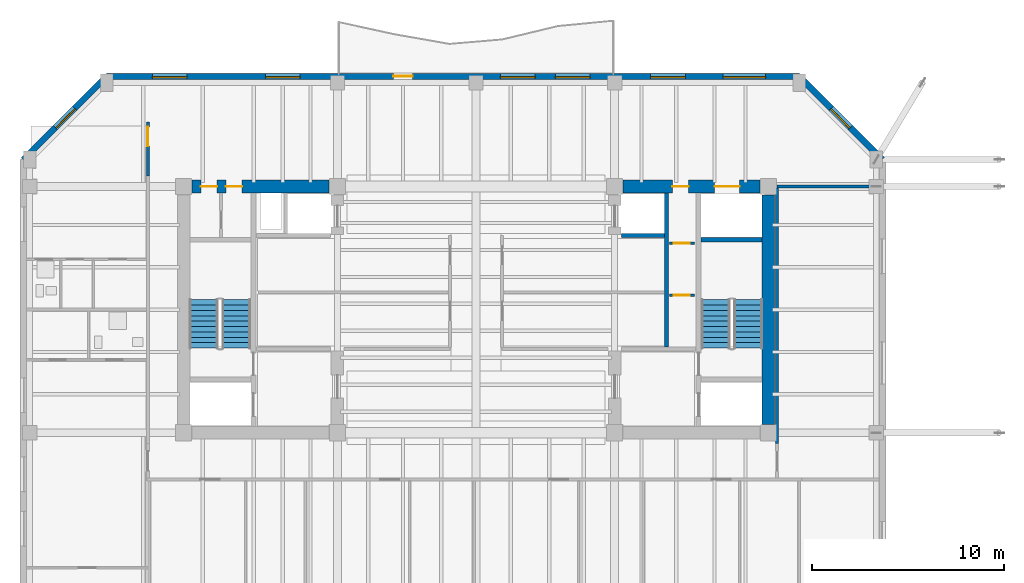
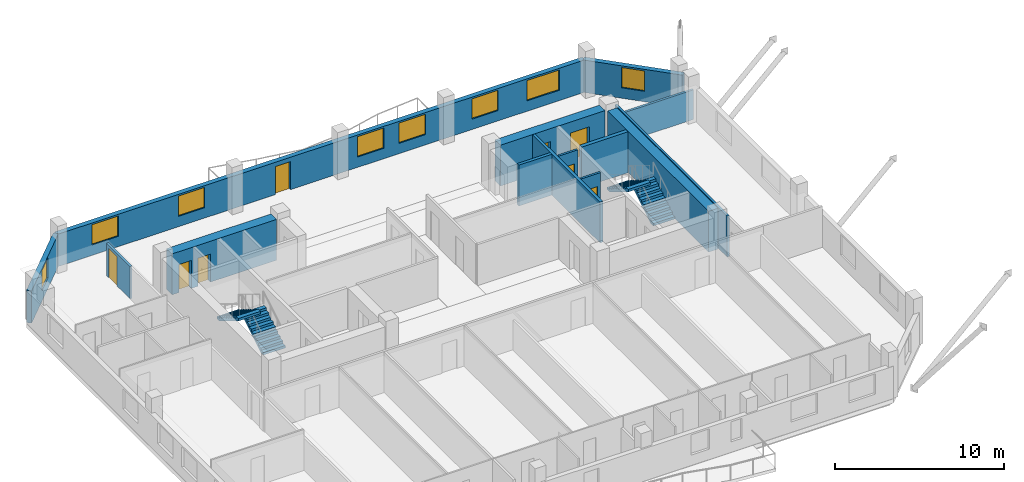
# One storey, part 7 of 12: 14 walls, 8 doors, 8 windows, 4 stair flights, 16 openings, 2 elements without a shape of their own.
"""IFC4 building model written with IfcOpenShell, lengths in metres."""

import ifcopenshell
import ifcopenshell.guid

model = None  # the IFC model being written
_history = None  # IfcOwnerHistory: only IFC2X3 demands one
_inside = {}  # id of a spatial element -> (the spatial element, [elements in it])
_under = {}  # id of a project, library or spatial element -> (it, [spatial elements below it])
_declared = {}  # id of a project -> (the project, [libraries it declares])
_typed = {}  # id of a type object -> (the type object, [elements of that type])
_made_of = {}  # id of a material, layer set ... -> (it, [elements and type objects made of it])


def new_model(schema):
    """Start an empty IFC model of exactly this schema.

    Asked for "IFC4X3", IfcOpenShell would pick the latest addendum, in which some entities
    have other attributes; the version numbers below select the first issue.
    IFC2X3 requires an IfcOwnerHistory on every rooted entity: one is made here for all.
    """
    global model, _history
    if schema == "IFC4X3":
        model = ifcopenshell.file(schema_version=(4, 3, 0, 0))
    else:
        model = ifcopenshell.file(schema=schema)
    _inside.clear()
    _under.clear()
    _declared.clear()
    _typed.clear()
    _made_of.clear()
    _history = None
    if model.schema == "IFC2X3":
        org = make("IfcOrganization", Name="unknown")
        user = make(
            "IfcPersonAndOrganization",
            ThePerson=make("IfcPerson", FamilyName="unknown"),
            TheOrganization=org,
        )
        app = make(
            "IfcApplication",
            ApplicationDeveloper=org,
            Version="unknown",
            ApplicationFullName="unknown",
            ApplicationIdentifier="unknown",
        )
        _history = make(
            "IfcOwnerHistory",
            OwningUser=user,
            OwningApplication=app,
            ChangeAction="ADDED",
            CreationDate=0,
        )
    return model


def make(cls, **values):
    """One entity of the class cls with the attributes given. An attribute that is None is left unset."""
    return model.create_entity(
        cls, **{name: value for name, value in values.items() if value is not None}
    )


def rooted(cls, **values):
    """An entity with a GlobalId (a new one), such as an element, a storey or a relation."""
    return make(cls, GlobalId=ifcopenshell.guid.new(), OwnerHistory=_history, **values)


def si_unit(unit_type, name, prefix=None):
    """IfcSIUnit, for example si_unit("LENGTHUNIT", "METRE", prefix="MILLI")."""
    return make("IfcSIUnit", UnitType=unit_type, Prefix=prefix, Name=name)


def assignment(units):
    """IfcUnitAssignment: the units of a project."""
    return None if units is None else make("IfcUnitAssignment", Units=units)


def point(xyz):
    """IfcCartesianPoint."""
    return None if xyz is None else make("IfcCartesianPoint", Coordinates=xyz)


def direction(xyz):
    """IfcDirection."""
    return None if xyz is None else make("IfcDirection", DirectionRatios=xyz)


def frame(location, z_axis=None, x_axis=None):
    """IfcAxis2Placement3D, a coordinate frame: its origin and axes. An axis left out is left unset."""
    return make(
        "IfcAxis2Placement3D",
        Location=point(location),
        Axis=direction(z_axis),
        RefDirection=direction(x_axis),
    )


def frame_2d(location, x_axis=None):
    """IfcAxis2Placement2D, a coordinate frame in the plane: its origin and x axis."""
    return make(
        "IfcAxis2Placement2D", Location=point(location), RefDirection=direction(x_axis)
    )


def origin():
    """The frame at (0, 0, 0) with its axes left unset."""
    return frame((0.0, 0.0, 0.0))


def place(relative_to, where):
    """IfcLocalPlacement: puts the frame where relative to a parent placement (None: the world)."""
    return make(
        "IfcLocalPlacement", PlacementRelTo=relative_to, RelativePlacement=where
    )


def context(
    kind, dimensions, precision=None, world=None, true_north=None, identifier=None
):
    """IfcGeometricRepresentationContext, for example the 3D "Model" context."""
    return make(
        "IfcGeometricRepresentationContext",
        ContextIdentifier=identifier,
        ContextType=kind,
        CoordinateSpaceDimension=dimensions,
        Precision=precision,
        WorldCoordinateSystem=world,
        TrueNorth=true_north,
    )


def subcontext(parent, identifier, kind, view, scale=None):
    """IfcGeometricRepresentationSubContext, for example "Body" below "Model"."""
    return make(
        "IfcGeometricRepresentationSubContext",
        ContextIdentifier=identifier,
        ContextType=kind,
        ParentContext=parent,
        TargetScale=scale,
        TargetView=view,
    )


def project(units=None, contexts=None):
    """IfcProject with its units and contexts."""
    return rooted(
        "IfcProject",
        Name="project",
        RepresentationContexts=contexts,
        UnitsInContext=assignment(units),
    )


def spatial(cls, under=None, at=None, **own):
    """A site, building, storey or space (cls), placed at a placement, below another one or the project."""
    s = rooted(cls, ObjectPlacement=at, **own)
    if under is not None:
        _under.setdefault(under.id(), (under, []))[1].append(s)
    return s


def polyline(points):
    """IfcPolyline through the points."""
    return make("IfcPolyline", Points=[point(p) for p in points])


def profile(cls, at=None, kind="AREA", **sizes):
    """A parametric profile (cls). Its sizes go by their IFC names, for example OverallWidth=200.0."""
    return make(cls, ProfileType=kind, Position=at, **sizes)


def rectangle(**sizes):
    """IfcRectangleProfileDef."""
    return profile("IfcRectangleProfileDef", **sizes)


def outline(outer, holes=None, kind="AREA"):
    """IfcArbitraryClosedProfileDef: a profile drawn as a closed curve; with holes, ...WithVoids."""
    if holes is None:
        return make("IfcArbitraryClosedProfileDef", ProfileType=kind, OuterCurve=outer)
    return make(
        "IfcArbitraryProfileDefWithVoids",
        ProfileType=kind,
        OuterCurve=outer,
        InnerCurves=holes,
    )


def extrude(swept, where, along, depth):
    """IfcExtrudedAreaSolid: the profile swept, set in the frame where, extruded along a direction by depth."""
    return make(
        "IfcExtrudedAreaSolid",
        SweptArea=swept,
        Position=where,
        ExtrudedDirection=direction(along),
        Depth=depth,
    )


def shape(context_of_items, identifier, shape_type, items):
    """IfcShapeRepresentation: the items that make up one representation, for example the "Body"."""
    return make(
        "IfcShapeRepresentation",
        ContextOfItems=context_of_items,
        RepresentationIdentifier=identifier,
        RepresentationType=shape_type,
        Items=items,
    )


def material(Name=None, Category=None):
    """IfcMaterial."""
    return make("IfcMaterial", Name=Name, Category=Category)


def layer(
    of_material, thickness, ventilated=None, Name=None, Category=None, Priority=None
):
    """IfcMaterialLayer: one layer of a wall or slab, of a material (None: an air gap)."""
    return make(
        "IfcMaterialLayer",
        Material=of_material,
        LayerThickness=thickness,
        IsVentilated=ventilated,
        Name=Name,
        Category=Category,
        Priority=Priority,
    )


def layer_set(layers, Name=None):
    """IfcMaterialLayerSet."""
    return make("IfcMaterialLayerSet", MaterialLayers=layers, LayerSetName=Name)


def made_of(thing, what):
    """Note that an element or type object is made of a material, layer set ...; save() writes the relation."""
    if what is not None:
        _made_of.setdefault(what.id(), (what, []))[1].append(thing)
    return thing


def type_object(cls, material=None, **own):
    """A type object (cls), such as IfcWallType, which elements share."""
    return made_of(rooted(cls, **own), material)


def element(
    cls,
    number,
    at=None,
    inside=None,
    cuts=None,
    type_object=None,
    material=None,
    context=None,
    identifier="Body",
    shape_type=None,
    held_by="IfcProductDefinitionShape",
    body=None,
    shapes=None,
    **own,
):
    """One element of the class cls, such as IfcWall. Its Tag is "e" and its number.

    at: its placement. inside: the storey or other place that contains it. cuts: it is an
    opening in that element (IfcRelVoidsElement). A single representation is given by context,
    identifier, shape_type and body (its items); several are given by shapes. held_by: the class
    of the entity that holds the representations. save() writes the other relations.
    """
    e = rooted(cls, Tag="e%d" % number, ObjectPlacement=at, **own)
    if body is not None:
        shapes = [shape(context, identifier, shape_type, body)]
    if shapes is not None:
        e.Representation = make(held_by, Representations=shapes)
    if inside is not None:
        _inside.setdefault(inside.id(), (inside, []))[1].append(e)
    if cuts is not None:
        rooted(
            "IfcRelVoidsElement", RelatingBuildingElement=cuts, RelatedOpeningElement=e
        )
    if type_object is not None:
        _typed.setdefault(type_object.id(), (type_object, []))[1].append(e)
    return made_of(e, material)


def fill(opening, filler):
    """IfcRelFillsElement: the door or window that sits in an opening."""
    return rooted(
        "IfcRelFillsElement",
        RelatingOpeningElement=opening,
        RelatedBuildingElement=filler,
    )


def aggregate(whole, parts):
    """IfcRelAggregates: a whole, such as a stair, and the parts it consists of."""
    return rooted("IfcRelAggregates", RelatingObject=whole, RelatedObjects=parts)


def save(model, path):
    """Write the relations noted so far, then the file.

    IfcRelAggregates (storeys below a building ...), IfcRelContainedInSpatialStructure (elements
    in a storey), IfcRelDefinesByType, IfcRelAssociatesMaterial and IfcRelDeclares: one each for
    every whole, place, type object, material and project.
    """
    for whole, parts in _under.values():
        aggregate(whole, parts)
    for where, things in _inside.values():
        rooted(
            "IfcRelContainedInSpatialStructure",
            RelatedElements=things,
            RelatingStructure=where,
        )
    for kind, things in _typed.values():
        rooted("IfcRelDefinesByType", RelatedObjects=things, RelatingType=kind)
    for what, things in _made_of.values():
        rooted("IfcRelAssociatesMaterial", RelatedObjects=things, RelatingMaterial=what)
    for by, libraries in _declared.values():
        rooted("IfcRelDeclares", RelatingContext=by, RelatedDefinitions=libraries)
    model.write(path)


model = new_model("IFC4")

# Units and contexts
model_context = context("Model", 3, precision=1e-05, world=origin(), true_north=direction((0.0, 1.0)))
body_context = subcontext(model_context, "Body", "Model", "MODEL_VIEW")
ifc_project = project(units=[si_unit("LENGTHUNIT", "METRE"), si_unit("AREAUNIT", "SQUARE_METRE"), si_unit("VOLUMEUNIT", "CUBIC_METRE"), si_unit("PLANEANGLEUNIT", "RADIAN"), si_unit("MASSUNIT", "GRAM", prefix="KILO")], contexts=[model_context])

# Site, building, storey
site_placement = place(None, origin())
site = spatial("IfcSite", under=ifc_project, at=site_placement, CompositionType="ELEMENT")
building_placement = place(site_placement, origin())
building = spatial("IfcBuilding", under=site, at=building_placement, Name="Kranthara Brick Stack", CompositionType="ELEMENT")
storey_placement = place(building_placement, frame((0.0, 0.0, 224.5)))
storey = spatial("IfcBuildingStorey", under=building, at=storey_placement, Name="L58", CompositionType="ELEMENT", Elevation=224.5)

# Wall, opening, window
ifc_material_1 = material(Name="Warm buff clay brick masonry M15", Category="masonry")
ifc_layer_1 = layer(ifc_material_1, 0.320068359375)
ifc_layer_set_1 = layer_set([ifc_layer_1], Name="Warm buff clay brick masonry M15")
wall_type_1 = type_object("IfcWallType", Name="WL-BRK-UPPR-320", PredefinedType="STANDARD", material=ifc_layer_set_1)
wall_1_placement = place(storey_placement, frame((4.47998046875, 35.0, 0.0), z_axis=(0.0, 0.0, 1.0), x_axis=(0.707106781187, 0.707106781187, 0.0)))
wall_1 = element("IfcWall", 1, at=wall_1_placement, inside=storey, type_object=wall_type_1, Name="L58 Exterior Brick Facade Wall NW 1", PredefinedType="STANDARD", context=body_context, shape_type="SweptSolid", body=[
    extrude(rectangle(XDim=6.109619140625, YDim=0.320068359375, at=frame_2d((3.0546875, 0.0))), origin(), (0.0, 0.0, 1.0), 2.3349609375),
])
opening_1_placement = place(wall_1_placement, frame((2.35498046875, 0.0, 0.75)))
opening_1 = element("IfcOpeningElement", 2, at=opening_1_placement, cuts=wall_1, Name="Opening WN10", PredefinedType="OPENING", context=body_context, shape_type="SweptSolid", body=[
    extrude(rectangle(XDim=1.39990234375, YDim=1.465087890625, at=frame_2d((0.699951171875, 0.732421875))), frame((0.0, 0.169921875, 0.0), z_axis=(0.0, -1.0, 0.0), x_axis=(1.0, 0.0, 0.0)), (0.0, 0.0, 1.0), 0.340087890625),
])
ifc_material_2 = material(Name="Double-glazed low-E solar control glass", Category="glass")
window_type_1 = type_object("IfcWindowType", Name="WN-CHM-1400x1750", PartitioningType="SINGLE_PANEL", PredefinedType="WINDOW", material=ifc_material_2)
window_1_placement = place(opening_1_placement, origin())
window_1 = element("IfcWindow", 3, at=window_1_placement, inside=storey, type_object=window_type_1, Name="L58 NW Chamfer Corner Window", OverallHeight=1.465087890625, OverallWidth=1.39990234375, PartitioningType="SINGLE_PANEL", PredefinedType="WINDOW", context=body_context, shape_type="SweptSolid", body=[
    extrude(rectangle(XDim=1.39990234375, YDim=1.465087890625, at=frame_2d((0.699951171875, 0.732421875))), frame((0.0, -0.010009765625, 0.0), z_axis=(0.0, -1.0, 0.0), x_axis=(1.0, 0.0, 0.0)), (0.0, 0.0, 1.0), 0.06005859375),
])
fill(opening_1, window_1)

# Wall, openings, door, windows
wall_2_placement = place(storey_placement, frame((8.800048828125, 39.320068359375, 0.0), z_axis=(0.0, 0.0, 1.0), x_axis=(1.0, 0.0, 0.0)))
wall_2 = element("IfcWall", 4, at=wall_2_placement, inside=storey, type_object=wall_type_1, Name="L58 Exterior Brick Facade Wall NORTH 1", PredefinedType="STANDARD", context=body_context, shape_type="SweptSolid", body=[
    extrude(rectangle(XDim=36.0, YDim=0.320068359375, at=frame_2d((18.0, 0.0))), origin(), (0.0, 0.0, 1.0), 2.3349609375),
])
opening_2_placement = place(wall_2_placement, frame((14.89990234375, 0.0, 0.0)))
opening_2 = element("IfcOpeningElement", 5, at=opening_2_placement, cuts=wall_2, Name="Opening D03", PredefinedType="OPENING", context=body_context, shape_type="SweptSolid", body=[
    extrude(rectangle(XDim=1.0, YDim=2.02001953125, at=frame_2d((0.5, 1.010009765625))), frame((0.0, 0.169921875, 0.0), z_axis=(0.0, -1.0, 0.0), x_axis=(1.0, 0.0, 0.0)), (0.0, 0.0, 1.0), 0.340087890625),
])
opening_3_placement = place(wall_2_placement, frame((2.375, 0.0, 0.75)))
opening_3 = element("IfcOpeningElement", 6, at=opening_3_placement, cuts=wall_2, Name="Opening WN07", PredefinedType="OPENING", context=body_context, shape_type="SweptSolid", body=[
    extrude(rectangle(XDim=1.800048828125, YDim=1.465087890625, at=frame_2d((0.89990234375, 0.732421875))), frame((0.0, 0.169921875, 0.0), z_axis=(0.0, -1.0, 0.0), x_axis=(1.0, 0.0, 0.0)), (0.0, 0.0, 1.0), 0.340087890625),
])
opening_4_placement = place(wall_2_placement, frame((8.261962890625, 0.0, 0.75)))
opening_4 = element("IfcOpeningElement", 7, at=opening_4_placement, cuts=wall_2, Name="Opening WN07", PredefinedType="OPENING", context=body_context, shape_type="SweptSolid", body=[
    extrude(rectangle(XDim=1.800048828125, YDim=1.465087890625, at=frame_2d((0.89990234375, 0.732421875))), frame((0.0, 0.169921875, 0.0), z_axis=(0.0, -1.0, 0.0), x_axis=(1.0, 0.0, 0.0)), (0.0, 0.0, 1.0), 0.340087890625),
])
opening_5_placement = place(wall_2_placement, frame((20.471923828125, 0.0, 0.75)))
opening_5 = element("IfcOpeningElement", 8, at=opening_5_placement, cuts=wall_2, Name="Opening WN07", PredefinedType="OPENING", context=body_context, shape_type="SweptSolid", body=[
    extrude(rectangle(XDim=1.800048828125, YDim=1.465087890625, at=frame_2d((0.89990234375, 0.732421875))), frame((0.0, 0.169921875, 0.0), z_axis=(0.0, -1.0, 0.0), x_axis=(1.0, 0.0, 0.0)), (0.0, 0.0, 1.0), 0.340087890625),
])
opening_6_placement = place(wall_2_placement, frame((23.327880859375, 0.0, 0.75)))
opening_6 = element("IfcOpeningElement", 9, at=opening_6_placement, cuts=wall_2, Name="Opening WN07", PredefinedType="OPENING", context=body_context, shape_type="SweptSolid", body=[
    extrude(rectangle(XDim=1.800048828125, YDim=1.465087890625, at=frame_2d((0.89990234375, 0.732421875))), frame((0.0, 0.169921875, 0.0), z_axis=(0.0, -1.0, 0.0), x_axis=(1.0, 0.0, 0.0)), (0.0, 0.0, 1.0), 0.340087890625),
])
opening_7_placement = place(wall_2_placement, frame((28.277099609375, 0.0, 0.75)))
opening_7 = element("IfcOpeningElement", 10, at=opening_7_placement, cuts=wall_2, Name="Opening WN07", PredefinedType="OPENING", context=body_context, shape_type="SweptSolid", body=[
    extrude(rectangle(XDim=1.800048828125, YDim=1.465087890625, at=frame_2d((0.89990234375, 0.732421875))), frame((0.0, 0.169921875, 0.0), z_axis=(0.0, -1.0, 0.0), x_axis=(1.0, 0.0, 0.0)), (0.0, 0.0, 1.0), 0.340087890625),
])
opening_8_placement = place(wall_2_placement, frame((32.048095703125, 0.0, 0.75)))
opening_8 = element("IfcOpeningElement", 11, at=opening_8_placement, cuts=wall_2, Name="Opening WN08", PredefinedType="OPENING", context=body_context, shape_type="SweptSolid", body=[
    extrude(rectangle(XDim=2.199951171875, YDim=1.465087890625, at=frame_2d((1.10009765625, 0.732421875))), frame((0.0, 0.169921875, 0.0), z_axis=(0.0, -1.0, 0.0), x_axis=(1.0, 0.0, 0.0)), (0.0, 0.0, 1.0), 0.340087890625),
])
ifc_material_3 = material(Name="Bronze anodised aluminium and laminated glass", Category="aluminium")
door_type_1 = type_object("IfcDoorType", Name="DR-BALC-1000", OperationType="NOTDEFINED", PredefinedType="DOOR", material=ifc_material_3)
door_1_placement = place(opening_2_placement, origin())
door_1 = element("IfcDoor", 12, at=door_1_placement, inside=storey, type_object=door_type_1, Name="L58 North Balcony Terrace Door", OperationType="SINGLE_SWING_RIGHT", OverallHeight=2.02001953125, OverallWidth=1.0, PredefinedType="DOOR", context=body_context, shape_type="SweptSolid", body=[
    extrude(rectangle(XDim=1.0, YDim=2.02001953125, at=frame_2d((0.5, 1.010009765625))), frame((0.0, 0.02490234375, 0.0), z_axis=(0.0, -1.0, 0.0), x_axis=(1.0, 0.0, 0.0)), (0.0, 0.0, 1.0), 0.050048828125),
])
fill(opening_2, door_1)
ifc_material_4 = material(Name="Double-glazed low-E solar control glass", Category="glass")
window_type_2 = type_object("IfcWindowType", Name="WN-RES-1800x1850", PartitioningType="DOUBLE_PANEL_VERTICAL", PredefinedType="WINDOW", material=ifc_material_4)
window_2_placement = place(opening_3_placement, origin())
window_2 = element("IfcWindow", 13, at=window_2_placement, inside=storey, type_object=window_type_2, Name="L58 North Deep-Set Brick Window 01", OverallHeight=1.465087890625, OverallWidth=1.800048828125, PartitioningType="SINGLE_PANEL", PredefinedType="WINDOW", context=body_context, shape_type="SweptSolid", body=[
    extrude(rectangle(XDim=1.800048828125, YDim=1.465087890625, at=frame_2d((0.89990234375, 0.732421875))), frame((0.0, -0.010009765625, 0.0), z_axis=(0.0, -1.0, 0.0), x_axis=(1.0, 0.0, 0.0)), (0.0, 0.0, 1.0), 0.06005859375),
])
fill(opening_3, window_2)
window_3_placement = place(opening_4_placement, origin())
window_3 = element("IfcWindow", 14, at=window_3_placement, inside=storey, type_object=window_type_2, Name="L58 North Deep-Set Brick Window 02", OverallHeight=1.465087890625, OverallWidth=1.800048828125, PartitioningType="SINGLE_PANEL", PredefinedType="WINDOW", context=body_context, shape_type="SweptSolid", body=[
    extrude(rectangle(XDim=1.800048828125, YDim=1.465087890625, at=frame_2d((0.89990234375, 0.732421875))), frame((0.0, -0.010009765625, 0.0), z_axis=(0.0, -1.0, 0.0), x_axis=(1.0, 0.0, 0.0)), (0.0, 0.0, 1.0), 0.06005859375),
])
fill(opening_4, window_3)
window_4_placement = place(opening_5_placement, origin())
window_4 = element("IfcWindow", 15, at=window_4_placement, inside=storey, type_object=window_type_2, Name="L58 North Deep-Set Brick Window 03", OverallHeight=1.465087890625, OverallWidth=1.800048828125, PartitioningType="SINGLE_PANEL", PredefinedType="WINDOW", context=body_context, shape_type="SweptSolid", body=[
    extrude(rectangle(XDim=1.800048828125, YDim=1.465087890625, at=frame_2d((0.89990234375, 0.732421875))), frame((0.0, -0.010009765625, 0.0), z_axis=(0.0, -1.0, 0.0), x_axis=(1.0, 0.0, 0.0)), (0.0, 0.0, 1.0), 0.06005859375),
])
fill(opening_5, window_4)
window_5_placement = place(opening_6_placement, origin())
window_5 = element("IfcWindow", 16, at=window_5_placement, inside=storey, type_object=window_type_2, Name="L58 North Deep-Set Brick Window 04", OverallHeight=1.465087890625, OverallWidth=1.800048828125, PartitioningType="SINGLE_PANEL", PredefinedType="WINDOW", context=body_context, shape_type="SweptSolid", body=[
    extrude(rectangle(XDim=1.800048828125, YDim=1.465087890625, at=frame_2d((0.89990234375, 0.732421875))), frame((0.0, -0.010009765625, 0.0), z_axis=(0.0, -1.0, 0.0), x_axis=(1.0, 0.0, 0.0)), (0.0, 0.0, 1.0), 0.06005859375),
])
fill(opening_6, window_5)
window_6_placement = place(opening_7_placement, origin())
window_6 = element("IfcWindow", 17, at=window_6_placement, inside=storey, type_object=window_type_2, Name="L58 North Deep-Set Brick Window 05", OverallHeight=1.465087890625, OverallWidth=1.800048828125, PartitioningType="SINGLE_PANEL", PredefinedType="WINDOW", context=body_context, shape_type="SweptSolid", body=[
    extrude(rectangle(XDim=1.800048828125, YDim=1.465087890625, at=frame_2d((0.89990234375, 0.732421875))), frame((0.0, -0.010009765625, 0.0), z_axis=(0.0, -1.0, 0.0), x_axis=(1.0, 0.0, 0.0)), (0.0, 0.0, 1.0), 0.06005859375),
])
fill(opening_7, window_6)
ifc_material_5 = material(Name="Double-glazed low-E solar control glass", Category="glass")
window_type_3 = type_object("IfcWindowType", Name="WN-RES-2200x1850", PartitioningType="TRIPLE_PANEL_VERTICAL", PredefinedType="WINDOW", material=ifc_material_5)
window_7_placement = place(opening_8_placement, origin())
window_7 = element("IfcWindow", 18, at=window_7_placement, inside=storey, type_object=window_type_3, Name="L58 North Deep-Set Brick Window 06", OverallHeight=1.465087890625, OverallWidth=2.199951171875, PartitioningType="SINGLE_PANEL", PredefinedType="WINDOW", context=body_context, shape_type="SweptSolid", body=[
    extrude(rectangle(XDim=2.199951171875, YDim=1.465087890625, at=frame_2d((1.10009765625, 0.732421875))), frame((0.0, -0.010009765625, 0.0), z_axis=(0.0, -1.0, 0.0), x_axis=(1.0, 0.0, 0.0)), (0.0, 0.0, 1.0), 0.06005859375),
])
fill(opening_8, window_7)

# Wall, opening, window
wall_3_placement = place(storey_placement, frame((44.800048828125, 39.320068359375, 0.0), z_axis=(0.0, 0.0, 1.0), x_axis=(0.707106781187, -0.707106781187, 0.0)))
wall_3 = element("IfcWall", 19, at=wall_3_placement, inside=storey, type_object=wall_type_1, Name="L58 Exterior Brick Facade Wall NE 1", PredefinedType="STANDARD", context=body_context, shape_type="SweptSolid", body=[
    extrude(rectangle(XDim=6.109619140625, YDim=0.320068359375, at=frame_2d((3.0546875, 0.0))), origin(), (0.0, 0.0, 1.0), 2.3349609375),
])
opening_9_placement = place(wall_3_placement, frame((2.35498046875, 0.0, 0.75)))
opening_9 = element("IfcOpeningElement", 20, at=opening_9_placement, cuts=wall_3, Name="Opening WN10", PredefinedType="OPENING", context=body_context, shape_type="SweptSolid", body=[
    extrude(rectangle(XDim=1.39990234375, YDim=1.465087890625, at=frame_2d((0.699951171875, 0.732421875))), frame((0.0, 0.169921875, 0.0), z_axis=(0.0, -1.0, 0.0), x_axis=(1.0, 0.0, 0.0)), (0.0, 0.0, 1.0), 0.340087890625),
])
window_8_placement = place(opening_9_placement, origin())
window_8 = element("IfcWindow", 21, at=window_8_placement, inside=storey, type_object=window_type_1, Name="L58 NE Chamfer Corner Window", OverallHeight=1.465087890625, OverallWidth=1.39990234375, PartitioningType="SINGLE_PANEL", PredefinedType="WINDOW", context=body_context, shape_type="SweptSolid", body=[
    extrude(rectangle(XDim=1.39990234375, YDim=1.465087890625, at=frame_2d((0.699951171875, 0.732421875))), frame((0.0, -0.010009765625, 0.0), z_axis=(0.0, -1.0, 0.0), x_axis=(1.0, 0.0, 0.0)), (0.0, 0.0, 1.0), 0.06005859375),
])
fill(opening_9, window_8)

# Wall
ifc_material_6 = material(Name="Concrete C50/60", Category="concrete")
ifc_layer_2 = layer(ifc_material_6, 0.25)
ifc_layer_set_2 = layer_set([ifc_layer_2], Name="Concrete C50/60")
wall_type_2 = type_object("IfcWallType", Name="WL-CORE-250", PredefinedType="SHEAR", material=ifc_layer_set_2)
wall_4_placement = place(storey_placement, frame((39.68994140625, 30.830078125, 0.0), z_axis=(0.0, 0.0, 1.0), x_axis=(1.0, 0.0, 0.0)))
element("IfcWall", 22, at=wall_4_placement, inside=storey, type_object=wall_type_2, Name="L58 East Stairwell Bearing Wall EST", PredefinedType="SHEAR", context=body_context, shape_type="SweptSolid", body=[
    extrude(rectangle(XDim=3.175048828125, YDim=0.25, at=frame_2d((1.58740234375, 0.0))), origin(), (0.0, 0.0, 1.0), 2.949951171875),
])

# Wall, openings, doors
ifc_material_7 = material(Name="Concrete C60/75", Category="concrete")
ifc_layer_3 = layer(ifc_material_7, 0.64990234375)
ifc_layer_set_3 = layer_set([ifc_layer_3], Name="Concrete C60/75")
wall_type_3 = type_object("IfcWallType", Name="WL-CORE-650", PredefinedType="SHEAR", material=ifc_layer_set_3)
wall_5_placement = place(storey_placement, frame((13.22998046875, 33.60009765625, 0.0), z_axis=(0.0, 0.0, 1.0), x_axis=(1.0, 0.0, 0.0)))
wall_5 = element("IfcWall", 23, at=wall_5_placement, inside=storey, type_object=wall_type_3, Name="L58 West Core Shear Wall North", PredefinedType="SHEAR", context=body_context, shape_type="SweptSolid", body=[
    extrude(rectangle(XDim=7.14013671875, YDim=0.64990234375, at=frame_2d((3.570068359375, 0.0))), origin(), (0.0, 0.0, 1.0), 2.949951171875),
])
opening_10_placement = place(wall_5_placement, frame((0.469970703125, 0.0, 0.0)))
opening_10 = element("IfcOpeningElement", 24, at=opening_10_placement, cuts=wall_5, Name="Opening D10", PredefinedType="OPENING", context=body_context, shape_type="SweptSolid", body=[
    extrude(rectangle(XDim=0.85009765625, YDim=2.02001953125, at=frame_2d((0.425048828125, 1.010009765625))), frame((0.0, 0.3349609375, 0.0), z_axis=(0.0, -1.0, 0.0), x_axis=(1.0, 0.0, 0.0)), (0.0, 0.0, 1.0), 0.669921875),
])
opening_11_placement = place(wall_5_placement, frame((1.77001953125, 0.0, 0.0)))
opening_11 = element("IfcOpeningElement", 25, at=opening_11_placement, cuts=wall_5, Name="Opening D10", PredefinedType="OPENING", context=body_context, shape_type="SweptSolid", body=[
    extrude(rectangle(XDim=0.85009765625, YDim=2.02001953125, at=frame_2d((0.425048828125, 1.010009765625))), frame((0.0, 0.3349609375, 0.0), z_axis=(0.0, -1.0, 0.0), x_axis=(1.0, 0.0, 0.0)), (0.0, 0.0, 1.0), 0.669921875),
])
ifc_material_8 = material(Name="Solid-core hardwood timber leaf in steel frame", Category="steel")
door_type_2 = type_object("IfcDoorType", Name="DR-RSR-850", OperationType="NOTDEFINED", PredefinedType="DOOR", material=ifc_material_8)
door_2_placement = place(opening_10_placement, origin())
door_2 = element("IfcDoor", 26, at=door_2_placement, inside=storey, type_object=door_type_2, Name="L58 West Core Service Door 1", OperationType="SINGLE_SWING_LEFT", OverallHeight=2.02001953125, OverallWidth=0.85009765625, PredefinedType="DOOR", context=body_context, shape_type="SweptSolid", body=[
    extrude(rectangle(XDim=0.85009765625, YDim=2.02001953125, at=frame_2d((0.425048828125, 1.010009765625))), frame((0.0, 0.02490234375, 0.0), z_axis=(0.0, -1.0, 0.0), x_axis=(1.0, 0.0, 0.0)), (0.0, 0.0, 1.0), 0.050048828125),
])
fill(opening_10, door_2)
door_3_placement = place(opening_11_placement, origin())
door_3 = element("IfcDoor", 27, at=door_3_placement, inside=storey, type_object=door_type_2, Name="L58 West Core Service Door 2", OperationType="SINGLE_SWING_RIGHT", OverallHeight=2.02001953125, OverallWidth=0.85009765625, PredefinedType="DOOR", context=body_context, shape_type="SweptSolid", body=[
    extrude(rectangle(XDim=0.85009765625, YDim=2.02001953125, at=frame_2d((0.425048828125, 1.010009765625))), frame((0.0, 0.02490234375, 0.0), z_axis=(0.0, -1.0, 0.0), x_axis=(1.0, 0.0, 0.0)), (0.0, 0.0, 1.0), 0.050048828125),
])
fill(opening_11, door_3)

# Wall
wall_6_placement = place(storey_placement, frame((43.199951171875, 21.22998046875, 0.0), z_axis=(0.0, 0.0, 1.0), x_axis=(0.0, 1.0, 0.0)))
element("IfcWall", 28, at=wall_6_placement, inside=storey, type_object=wall_type_3, Name="L58 East Core Shear Wall East", PredefinedType="SHEAR", context=body_context, shape_type="SweptSolid", body=[
    extrude(rectangle(XDim=11.93994140625, YDim=0.64990234375, at=frame_2d((5.969970703125, 0.0))), origin(), (0.0, 0.0, 1.0), 2.949951171875),
])

# Wall, openings, doors
wall_7_placement = place(storey_placement, frame((35.6298828125, 33.60009765625, 0.0), z_axis=(0.0, 0.0, 1.0), x_axis=(1.0, 0.0, 0.0)))
wall_7 = element("IfcWall", 29, at=wall_7_placement, inside=storey, type_object=wall_type_3, Name="L58 East Core Shear Wall North", PredefinedType="SHEAR", context=body_context, shape_type="SweptSolid", body=[
    extrude(rectangle(XDim=7.14013671875, YDim=0.64990234375, at=frame_2d((3.570068359375, 0.0))), origin(), (0.0, 0.0, 1.0), 2.949951171875),
])
opening_12_placement = place(wall_7_placement, frame((4.77001953125, 0.0, 0.0)))
opening_12 = element("IfcOpeningElement", 30, at=opening_12_placement, cuts=wall_7, Name="Opening LD03", PredefinedType="OPENING", context=body_context, shape_type="SweptSolid", body=[
    extrude(rectangle(XDim=1.300048828125, YDim=2.14990234375, at=frame_2d((0.64990234375, 1.074951171875))), frame((0.0, 0.3349609375, 0.0), z_axis=(0.0, -1.0, 0.0), x_axis=(1.0, 0.0, 0.0)), (0.0, 0.0, 1.0), 0.669921875),
])
opening_13_placement = place(wall_7_placement, frame((2.570068359375, 0.0, 0.0)))
opening_13 = element("IfcOpeningElement", 31, at=opening_13_placement, cuts=wall_7, Name="Opening D10", PredefinedType="OPENING", context=body_context, shape_type="SweptSolid", body=[
    extrude(rectangle(XDim=0.85009765625, YDim=2.02001953125, at=frame_2d((0.425048828125, 1.010009765625))), frame((0.0, 0.3349609375, 0.0), z_axis=(0.0, -1.0, 0.0), x_axis=(1.0, 0.0, 0.0)), (0.0, 0.0, 1.0), 0.669921875),
])
ifc_material_9 = material(Name="Stainless steel sliding landing door", Category="steel")
door_type_3 = type_object("IfcDoorType", Name="DR-LD-SV1300", OperationType="DOUBLE_DOOR_SLIDING", PredefinedType="DOOR", material=ifc_material_9)
door_4_placement = place(opening_12_placement, origin())
door_4 = element("IfcDoor", 32, at=door_4_placement, inside=storey, type_object=door_type_3, Name="L58 Stretcher Service Lift SV-01 Landing Door", OperationType="DOUBLE_DOOR_SLIDING", OverallHeight=2.14990234375, OverallWidth=1.300048828125, PredefinedType="DOOR", context=body_context, shape_type="SweptSolid", body=[
    extrude(rectangle(XDim=1.300048828125, YDim=2.14990234375, at=frame_2d((0.64990234375, 1.074951171875))), frame((0.0, 0.02490234375, 0.0), z_axis=(0.0, -1.0, 0.0), x_axis=(1.0, 0.0, 0.0)), (0.0, 0.0, 1.0), 0.050048828125),
])
fill(opening_12, door_4)
door_5_placement = place(opening_13_placement, origin())
door_5 = element("IfcDoor", 33, at=door_5_placement, inside=storey, type_object=door_type_2, Name="L58 East Core Service Room Door", OperationType="SINGLE_SWING_LEFT", OverallHeight=2.02001953125, OverallWidth=0.85009765625, PredefinedType="DOOR", context=body_context, shape_type="SweptSolid", body=[
    extrude(rectangle(XDim=0.85009765625, YDim=2.02001953125, at=frame_2d((0.425048828125, 1.010009765625))), frame((0.0, 0.02490234375, 0.0), z_axis=(0.0, -1.0, 0.0), x_axis=(1.0, 0.0, 0.0)), (0.0, 0.0, 1.0), 0.050048828125),
])
fill(opening_13, door_5)

# Wall, opening, door
ifc_material_10 = material(Name="Fire-rated gypsum board partition", Category="other")
ifc_layer_4 = layer(ifc_material_10, 0.14990234375)
ifc_layer_set_4 = layer_set([ifc_layer_4], Name="Fire-rated gypsum board partition")
wall_type_4 = type_object("IfcWallType", Name="WL-PART-150", PredefinedType="PARTITIONING", material=ifc_layer_set_4)
wall_8_placement = place(storey_placement, frame((38.050048828125, 27.949951171875, 0.0), z_axis=(0.0, 0.0, 1.0), x_axis=(1.0, 0.0, 0.0)))
wall_8 = element("IfcWall", 34, at=wall_8_placement, inside=storey, type_object=wall_type_4, Name="L58 Interior Partition 002", PredefinedType="PARTITIONING", context=body_context, shape_type="SweptSolid", body=[
    extrude(rectangle(XDim=1.300048828125, YDim=0.14990234375, at=frame_2d((0.64990234375, 0.0))), origin(), (0.0, 0.0, 1.0), 2.949951171875),
])
opening_14_placement = place(wall_8_placement, frame((0.219970703125, 0.0, 0.0)))
opening_14 = element("IfcOpeningElement", 35, at=opening_14_placement, cuts=wall_8, Name="Opening D10", PredefinedType="OPENING", context=body_context, shape_type="SweptSolid", body=[
    extrude(rectangle(XDim=0.85009765625, YDim=2.02001953125, at=frame_2d((0.425048828125, 1.010009765625))), frame((0.0, 0.0849609375, 0.0), z_axis=(0.0, -1.0, 0.0), x_axis=(1.0, 0.0, 0.0)), (0.0, 0.0, 1.0), 0.169921875),
])
door_6_placement = place(opening_14_placement, origin())
door_6 = element("IfcDoor", 36, at=door_6_placement, inside=storey, type_object=door_type_2, Name="L58 Riser Door 1 02", OperationType="SINGLE_SWING_RIGHT", OverallHeight=2.02001953125, OverallWidth=0.85009765625, PredefinedType="DOOR", context=body_context, shape_type="SweptSolid", body=[
    extrude(rectangle(XDim=0.85009765625, YDim=2.02001953125, at=frame_2d((0.425048828125, 1.010009765625))), frame((0.0, 0.02490234375, 0.0), z_axis=(0.0, -1.0, 0.0), x_axis=(1.0, 0.0, 0.0)), (0.0, 0.0, 1.0), 0.050048828125),
])
fill(opening_14, door_6)

wall_9_placement = place(storey_placement, frame((38.050048828125, 30.64990234375, 0.0), z_axis=(0.0, 0.0, 1.0), x_axis=(1.0, 0.0, 0.0)))
wall_9 = element("IfcWall", 37, at=wall_9_placement, inside=storey, type_object=wall_type_4, Name="L58 Interior Partition 003", PredefinedType="PARTITIONING", context=body_context, shape_type="SweptSolid", body=[
    extrude(rectangle(XDim=1.300048828125, YDim=0.14990234375, at=frame_2d((0.64990234375, 0.0))), origin(), (0.0, 0.0, 1.0), 2.949951171875),
])
opening_15_placement = place(wall_9_placement, frame((0.219970703125, 0.0, 0.0)))
opening_15 = element("IfcOpeningElement", 38, at=opening_15_placement, cuts=wall_9, Name="Opening D10", PredefinedType="OPENING", context=body_context, shape_type="SweptSolid", body=[
    extrude(rectangle(XDim=0.85009765625, YDim=2.02001953125, at=frame_2d((0.425048828125, 1.010009765625))), frame((0.0, 0.0849609375, 0.0), z_axis=(0.0, -1.0, 0.0), x_axis=(1.0, 0.0, 0.0)), (0.0, 0.0, 1.0), 0.169921875),
])
door_7_placement = place(opening_15_placement, origin())
door_7 = element("IfcDoor", 39, at=door_7_placement, inside=storey, type_object=door_type_2, Name="L58 Riser Door 2 03", OperationType="SINGLE_SWING_LEFT", OverallHeight=2.02001953125, OverallWidth=0.85009765625, PredefinedType="DOOR", context=body_context, shape_type="SweptSolid", body=[
    extrude(rectangle(XDim=0.85009765625, YDim=2.02001953125, at=frame_2d((0.425048828125, 1.010009765625))), frame((0.0, 0.02490234375, 0.0), z_axis=(0.0, -1.0, 0.0), x_axis=(1.0, 0.0, 0.0)), (0.0, 0.0, 1.0), 0.050048828125),
])
fill(opening_15, door_7)

wall_10_placement = place(storey_placement, frame((10.949951171875, 34.14990234375, 0.0), z_axis=(0.0, 0.0, 1.0), x_axis=(0.0, 1.0, 0.0)))
wall_10 = element("IfcWall", 40, at=wall_10_placement, inside=storey, type_object=wall_type_4, Name="L58 Interior Partition 032", PredefinedType="PARTITIONING", context=body_context, shape_type="SweptSolid", body=[
    extrude(rectangle(XDim=2.800048828125, YDim=0.14990234375, at=frame_2d((1.39990234375, 0.0))), origin(), (0.0, 0.0, 1.0), 2.3349609375),
])
opening_16_placement = place(wall_10_placement, frame((1.550048828125, 0.0, 0.0)))
opening_16 = element("IfcOpeningElement", 41, at=opening_16_placement, cuts=wall_10, Name="Opening D08", PredefinedType="OPENING", context=body_context, shape_type="SweptSolid", body=[
    extrude(rectangle(XDim=1.0, YDim=2.10009765625, at=frame_2d((0.5, 1.050048828125))), frame((0.0, 0.0849609375, 0.0), z_axis=(0.0, -1.0, 0.0), x_axis=(1.0, 0.0, 0.0)), (0.0, 0.0, 1.0), 0.169921875),
])
ifc_material_11 = material(Name="Solid-core hardwood timber leaf in steel frame", Category="steel")
door_type_4 = type_object("IfcDoorType", Name="DR-FD-1000", OperationType="NOTDEFINED", PredefinedType="DOOR", material=ifc_material_11)
door_8_placement = place(opening_16_placement, origin())
door_8 = element("IfcDoor", 42, at=door_8_placement, inside=storey, type_object=door_type_4, Name="L58 Unit L58F Entrance 29", OperationType="SINGLE_SWING_LEFT", OverallHeight=2.10009765625, OverallWidth=1.0, PredefinedType="DOOR", context=body_context, shape_type="SweptSolid", body=[
    extrude(rectangle(XDim=1.0, YDim=2.10009765625, at=frame_2d((0.5, 1.050048828125))), frame((0.0, 0.02490234375, 0.0), z_axis=(0.0, -1.0, 0.0), x_axis=(1.0, 0.0, 0.0)), (0.0, 0.0, 1.0), 0.050048828125),
])
fill(opening_16, door_8)

# Walls
wall_11_placement = place(storey_placement, frame((43.64990234375, 33.60009765625, 0.0), z_axis=(0.0, 0.0, 1.0), x_axis=(1.0, 0.0, 0.0)))
element("IfcWall", 43, at=wall_11_placement, inside=storey, type_object=wall_type_4, Name="L58 Interior Partition 042", PredefinedType="PARTITIONING", context=body_context, shape_type="SweptSolid", body=[
    extrude(rectangle(XDim=5.30517578125, YDim=0.14990234375, at=frame_2d((2.652587890625, 0.0))), origin(), (0.0, 0.0, 1.0), 2.135009765625),
])
wall_12_placement = place(storey_placement, frame((43.64990234375, 20.25, 0.0), z_axis=(0.0, 0.0, 1.0), x_axis=(0.0, 1.0, 0.0)))
element("IfcWall", 44, at=wall_12_placement, inside=storey, type_object=wall_type_4, Name="L58 Interior Partition 044", PredefinedType="PARTITIONING", context=body_context, shape_type="SweptSolid", body=[
    extrude(rectangle(XDim=13.27001953125, YDim=0.14990234375, at=frame_2d((6.635009765625, 0.0))), origin(), (0.0, 0.0, 1.0), 2.949951171875),
])
ifc_material_12 = material(Name="Concrete C40/50", Category="concrete")
ifc_layer_5 = layer(ifc_material_12, 0.199951171875)
ifc_layer_set_5 = layer_set([ifc_layer_5], Name="Concrete C40/50")
wall_type_5 = type_object("IfcWallType", Name="WL-PART-200", PredefinedType="SOLIDWALL", material=ifc_layer_set_5)
wall_13_placement = place(storey_placement, frame((35.550048828125, 31.050048828125, 0.0), z_axis=(0.0, 0.0, 1.0), x_axis=(1.0, 0.0, 0.0)))
element("IfcWall", 45, at=wall_13_placement, inside=storey, type_object=wall_type_5, Name="L58 East Core Cross Wall EE4", PredefinedType="SOLIDWALL", context=body_context, shape_type="SweptSolid", body=[
    extrude(rectangle(XDim=2.25, YDim=0.199951171875, at=frame_2d((1.125, 0.0))), origin(), (0.0, 0.0, 1.0), 2.949951171875),
])
wall_14_placement = place(storey_placement, frame((37.89990234375, 25.27001953125, 0.0), z_axis=(0.0, 0.0, 1.0), x_axis=(0.0, 1.0, 0.0)))
element("IfcWall", 46, at=wall_14_placement, inside=storey, type_object=wall_type_5, Name="L58 East Core Cross Wall ESV", PredefinedType="SOLIDWALL", context=body_context, shape_type="SweptSolid", body=[
    extrude(rectangle(XDim=7.994873046875, YDim=0.199951171875, at=frame_2d((3.99755859375, 0.0))), origin(), (0.0, 0.0, 1.0), 2.949951171875),
])

# Stair, stair flights
ifc_material_13 = material(Name="Concrete C45/55", Category="concrete")
stair_type = type_object("IfcStairType", Name="ST-CORE-20R", PredefinedType="HALF_TURN_STAIR", material=ifc_material_13)
stair_1_placement = place(storey_placement, origin())
stair_1 = element("IfcStair", 47, at=stair_1_placement, inside=storey, type_object=stair_type, Name="L58 West Core Protected Exit Stair ST01", PredefinedType="HALF_TURN_STAIR")
ifc_material_14 = material(Name="Concrete C45/55", Category="concrete")
stair_flight_type = type_object("IfcStairFlightType", Name="SFL-RC-20R", PredefinedType="STRAIGHT", material=ifc_material_14)
stair_flight_1_placement = place(storey_placement, frame((15.550048828125, 25.199951171875, 0.0), z_axis=(0.0, 0.0, 1.0), x_axis=(0.0, 1.0, 0.0)))
stair_flight_1 = element("IfcStairFlight", 48, at=stair_flight_1_placement, type_object=stair_flight_type, Name="ST01 flight 1", NumberOfRisers=10, NumberOfTreads=9, PredefinedType="STRAIGHT", RiserHeight=0.17, TreadLength=0.28, context=body_context, shape_type="SweptSolid", body=[
    extrude(outline(polyline([(0.0, 0.0), (0.0, 0.169921875), (0.280029296875, 0.169921875), (0.280029296875, 0.340087890625), (0.56005859375, 0.340087890625), (0.56005859375, 0.510009765625), (0.840087890625, 0.510009765625), (0.840087890625, 0.679931640625), (1.1201171875, 0.679931640625), (1.1201171875, 0.85009765625), (1.39990234375, 0.85009765625), (1.39990234375, 1.02001953125), (1.679931640625, 1.02001953125), (1.679931640625, 1.18994140625), (1.9599609375, 1.18994140625), (1.9599609375, 1.360107421875), (2.239990234375, 1.360107421875), (2.239990234375, 1.530029296875), (2.52001953125, 1.530029296875), (2.52001953125, 1.699951171875), (2.52001953125, 1.354736328125), (0.288818359375, 0.0), (0.0, 0.0)])), frame((0.0, 0.75, 0.0), z_axis=(0.0, -1.0, 0.0), x_axis=(1.0, 0.0, 0.0)), (0.0, 0.0, 1.0), 1.5),
])
stair_flight_2_placement = place(storey_placement, frame((13.85009765625, 27.719970703125, 1.699951171875), z_axis=(0.0, 0.0, 1.0), x_axis=(0.0, -1.0, 0.0)))
stair_flight_2 = element("IfcStairFlight", 49, at=stair_flight_2_placement, type_object=stair_flight_type, Name="ST01 flight 2", NumberOfRisers=10, NumberOfTreads=9, PredefinedType="STRAIGHT", RiserHeight=0.17, TreadLength=0.28, context=body_context, shape_type="SweptSolid", body=[
    extrude(outline(polyline([(0.0, 0.0), (0.0, 0.169921875), (0.280029296875, 0.169921875), (0.280029296875, 0.340087890625), (0.56005859375, 0.340087890625), (0.56005859375, 0.510009765625), (0.840087890625, 0.510009765625), (0.840087890625, 0.679931640625), (1.1201171875, 0.679931640625), (1.1201171875, 0.85009765625), (1.39990234375, 0.85009765625), (1.39990234375, 1.02001953125), (1.679931640625, 1.02001953125), (1.679931640625, 1.18994140625), (1.9599609375, 1.18994140625), (1.9599609375, 1.360107421875), (2.239990234375, 1.360107421875), (2.239990234375, 1.530029296875), (2.52001953125, 1.530029296875), (2.52001953125, 1.699951171875), (2.52001953125, 1.354736328125), (0.288818359375, 0.0), (0.0, 0.0)])), frame((0.0, 0.75, 0.0), z_axis=(0.0, -1.0, 0.0), x_axis=(1.0, 0.0, 0.0)), (0.0, 0.0, 1.0), 1.5),
])
aggregate(stair_1, [stair_flight_1, stair_flight_2])

stair_2_placement = place(storey_placement, origin())
stair_2 = element("IfcStair", 50, at=stair_2_placement, inside=storey, type_object=stair_type, Name="L58 East Core Protected Exit Stair ST02", PredefinedType="HALF_TURN_STAIR")
stair_flight_3_placement = place(storey_placement, frame((42.14990234375, 25.199951171875, 0.0), z_axis=(0.0, 0.0, 1.0), x_axis=(0.0, 1.0, 0.0)))
stair_flight_3 = element("IfcStairFlight", 51, at=stair_flight_3_placement, type_object=stair_flight_type, Name="ST02 flight 1", NumberOfRisers=10, NumberOfTreads=9, PredefinedType="STRAIGHT", RiserHeight=0.17, TreadLength=0.28, context=body_context, shape_type="SweptSolid", body=[
    extrude(outline(polyline([(0.0, 0.0), (0.0, 0.169921875), (0.280029296875, 0.169921875), (0.280029296875, 0.340087890625), (0.56005859375, 0.340087890625), (0.56005859375, 0.510009765625), (0.840087890625, 0.510009765625), (0.840087890625, 0.679931640625), (1.1201171875, 0.679931640625), (1.1201171875, 0.85009765625), (1.39990234375, 0.85009765625), (1.39990234375, 1.02001953125), (1.679931640625, 1.02001953125), (1.679931640625, 1.18994140625), (1.9599609375, 1.18994140625), (1.9599609375, 1.360107421875), (2.239990234375, 1.360107421875), (2.239990234375, 1.530029296875), (2.52001953125, 1.530029296875), (2.52001953125, 1.699951171875), (2.52001953125, 1.354736328125), (0.288818359375, 0.0), (0.0, 0.0)])), frame((0.0, 0.75, 0.0), z_axis=(0.0, -1.0, 0.0), x_axis=(1.0, 0.0, 0.0)), (0.0, 0.0, 1.0), 1.5),
])
stair_flight_4_placement = place(storey_placement, frame((40.449951171875, 27.719970703125, 1.699951171875), z_axis=(0.0, 0.0, 1.0), x_axis=(0.0, -1.0, 0.0)))
stair_flight_4 = element("IfcStairFlight", 52, at=stair_flight_4_placement, type_object=stair_flight_type, Name="ST02 flight 2", NumberOfRisers=10, NumberOfTreads=9, PredefinedType="STRAIGHT", RiserHeight=0.17, TreadLength=0.28, context=body_context, shape_type="SweptSolid", body=[
    extrude(outline(polyline([(0.0, 0.0), (0.0, 0.169921875), (0.280029296875, 0.169921875), (0.280029296875, 0.340087890625), (0.56005859375, 0.340087890625), (0.56005859375, 0.510009765625), (0.840087890625, 0.510009765625), (0.840087890625, 0.679931640625), (1.1201171875, 0.679931640625), (1.1201171875, 0.85009765625), (1.39990234375, 0.85009765625), (1.39990234375, 1.02001953125), (1.679931640625, 1.02001953125), (1.679931640625, 1.18994140625), (1.9599609375, 1.18994140625), (1.9599609375, 1.360107421875), (2.239990234375, 1.360107421875), (2.239990234375, 1.530029296875), (2.52001953125, 1.530029296875), (2.52001953125, 1.699951171875), (2.52001953125, 1.354736328125), (0.288818359375, 0.0), (0.0, 0.0)])), frame((0.0, 0.75, 0.0), z_axis=(0.0, -1.0, 0.0), x_axis=(1.0, 0.0, 0.0)), (0.0, 0.0, 1.0), 1.5),
])
aggregate(stair_2, [stair_flight_3, stair_flight_4])

save(model, "model.ifc")
